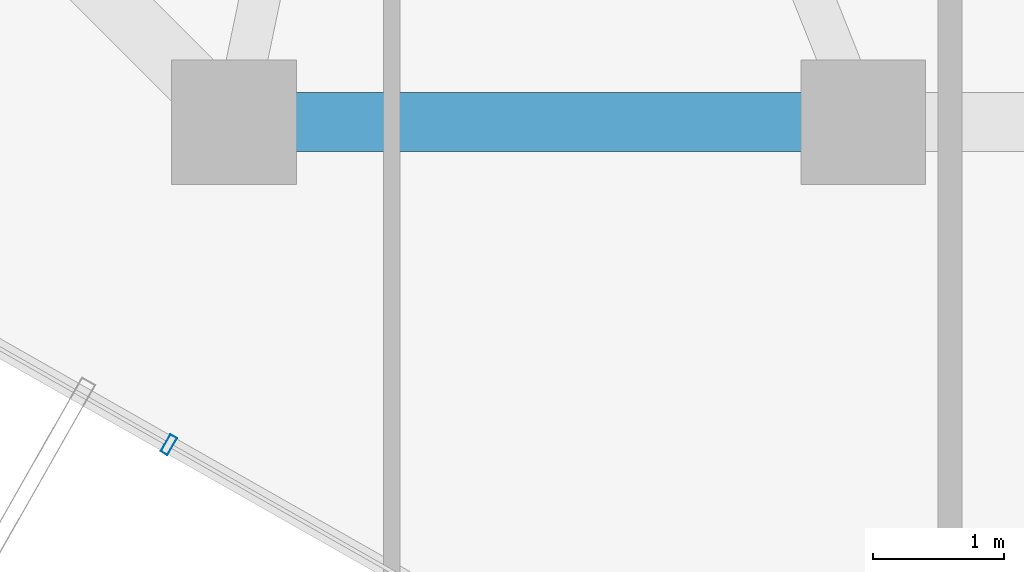
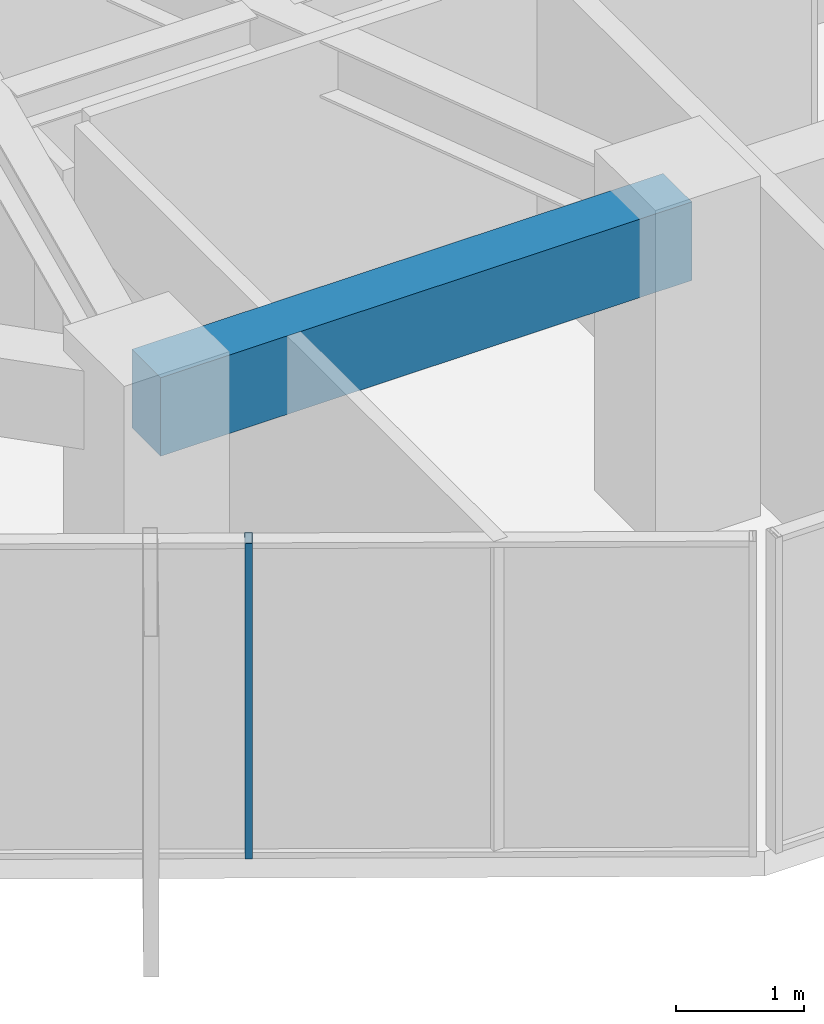
# One storey, part 4 of 31: 1 beam, 1 member, 1 element without a shape of its own.
"""IFC4 building model written with IfcOpenShell, lengths in metres."""

from ifc_helpers import new_model, si_unit, direction, frame, origin, origin_2d, place, context, subcontext, project, spatial, rectangle, hollow_rectangle, extrude, source, transform, mapped, material, layer, layer_set, material_profile, profile_set, type_object, element, aggregate, save


model = new_model("IFC4")

# Units and contexts
model_context = context("Model", 3, precision=1e-05, world=origin(), true_north=direction((0.0, 1.0)))
body_context = subcontext(model_context, "Body", "Model", "MODEL_VIEW")
ifc_project = project(units=[si_unit("LENGTHUNIT", "METRE"), si_unit("AREAUNIT", "SQUARE_METRE"), si_unit("VOLUMEUNIT", "CUBIC_METRE"), si_unit("PLANEANGLEUNIT", "RADIAN"), si_unit("MASSUNIT", "GRAM", prefix="KILO")], contexts=[model_context])

# Site, building, storey
site_placement = place(None, origin())
site = spatial("IfcSite", under=ifc_project, at=site_placement, CompositionType="ELEMENT")
building_placement = place(site_placement, origin())
building = spatial("IfcBuilding", under=site, at=building_placement, Name="Veraguas Prism Commons", CompositionType="ELEMENT")
storey_placement = place(building_placement, frame((0.0, 0.0, 204.85009765625)))
storey = spatial("IfcBuildingStorey", under=building, at=storey_placement, Name="L58", CompositionType="ELEMENT", Elevation=204.85009765625)

# Beam
ifc_material_1 = material(Name="Concrete C50/60", Category="concrete")
ifc_material_profile_1 = material_profile(ifc_material_1, rectangle(XDim=0.449951171875, YDim=0.75, at=origin_2d()), Name="RC450X750")
ifc_profile_set_1 = profile_set([ifc_material_profile_1], Name="Concrete C50/60")
beam_type = type_object("IfcBeamType", Name="Perimeter Spandrel Upper RC 450x750", PredefinedType="SPANDREL", material=ifc_profile_set_1)
beam_placement = place(storey_placement, frame((19.199951171875, 9.10009765625, 2.639892578125), z_axis=(1.0, 0.0, 0.0), x_axis=(0.0, 1.0, 0.0)))
element("IfcBeam", 1, at=beam_placement, inside=storey, type_object=beam_type, Name="Perimeter Spandrel Beam L58-SP10", PredefinedType="SPANDREL", context=body_context, shape_type="SweptSolid", body=[
    extrude(rectangle(XDim=0.449951171875, YDim=0.75, at=origin_2d()), origin(), (0.0, 0.0, 1.0), 4.800048828125),
])

# Curtain wall, member
ifc_material_2 = material(Name="Anodised aluminium EN AW-6063 T6", Category="aluminium")
ifc_layer = layer(ifc_material_2, 0.14990234375, Name="Unitised Flush Curtain Wall Zone 3", Category="aluminium")
ifc_layer_set = layer_set([ifc_layer], Name="Anodised aluminium EN AW-6063 T6")
curtain_wall_type = type_object("IfcCurtainWallType", Name="Unitised Flush Curtain Wall Zone 3", PredefinedType="NOTDEFINED", material=ifc_layer_set)
curtain_wall_placement = place(storey_placement, origin())
curtain_wall = element("IfcCurtainWall", 2, at=curtain_wall_placement, inside=storey, type_object=curtain_wall_type, Name="Tower Facade Curtain Wall L58-F4", PredefinedType="NOTDEFINED")
ifc_material_profile_2 = material_profile(ifc_material_2, hollow_rectangle(XDim=0.06005859375, YDim=0.14990234375, WallThickness=0.0029296875, at=origin_2d()), Name="AL60X150X3")
ifc_profile_set_2 = profile_set([ifc_material_profile_2], Name="Anodised aluminium EN AW-6063 T6")
member_type = type_object("IfcMemberType", Name="Curtain Wall Mullion Upper AL 60x150x3", PredefinedType="MULLION", material=ifc_profile_set_2)
shared_shape = source(origin(), body_context, "Body", "SweptSolid", [
    extrude(hollow_rectangle(XDim=0.06005859375, YDim=0.14990234375, WallThickness=0.0029296875, at=origin_2d()), origin(), (0.0, 0.0, 1.0), 3.014892578125),
])
member_placement = place(storey_placement, frame((18.702880859375, 6.63916015625, 0.0), z_axis=(0.0, 0.0, 1.0), x_axis=(0.869323320918, -0.494243830218, 0.0)))
member = element("IfcMember", 3, at=member_placement, type_object=member_type, Name="CW-Z3 Mullion 4", PredefinedType="MULLION", context=body_context, shape_type="MappedRepresentation", body=[
    mapped(shared_shape, transform((0.0, 0.0, 0.0), scale=1.0)),
])
aggregate(curtain_wall, [member])

save(model, "model.ifc")
